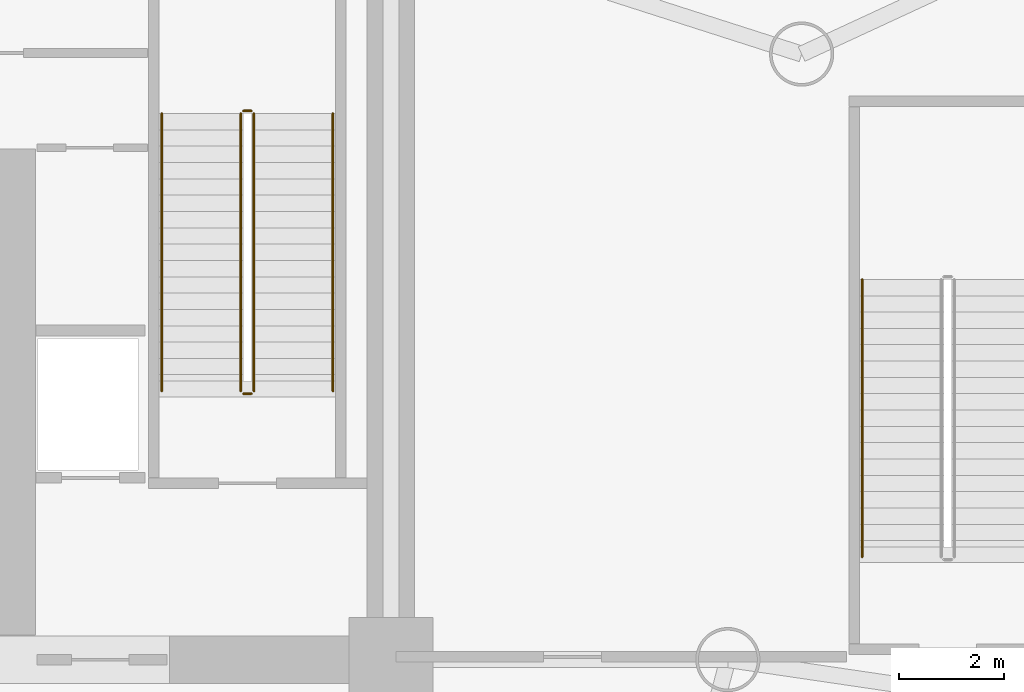
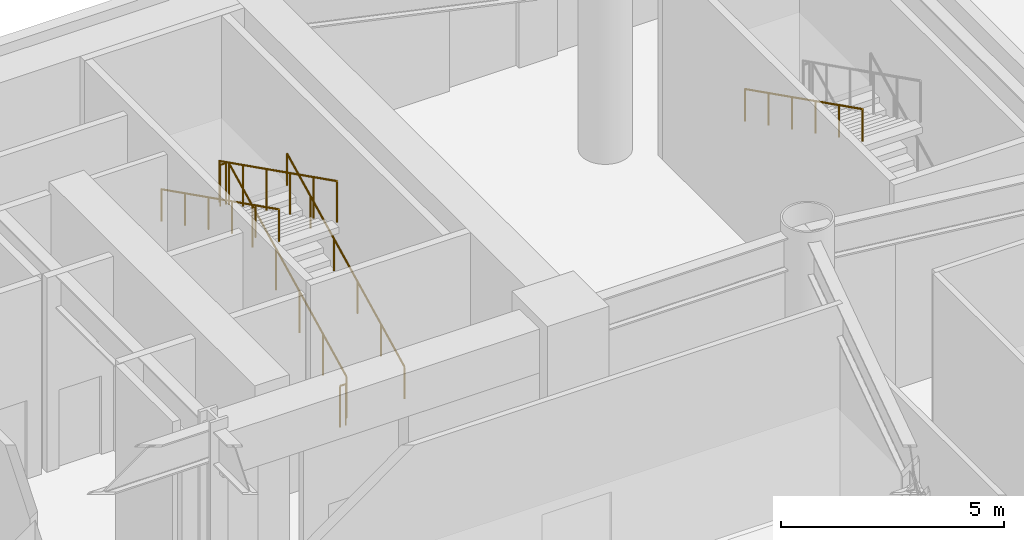
# One storey, part 17 of 20: 7 railings.
"""IFC4 building model written with IfcOpenShell, lengths in metres."""

from ifc_helpers import new_model, si_unit, direction, frame, origin, origin_2d, place, context, subcontext, project, spatial, circle, extrude, material, type_object, element, save


model = new_model("IFC4")

# Units and contexts
model_context = context("Model", 3, precision=1e-05, world=origin(), true_north=direction((0.0, 1.0)))
body_context = subcontext(model_context, "Body", "Model", "MODEL_VIEW")
ifc_project = project(units=[si_unit("LENGTHUNIT", "METRE"), si_unit("AREAUNIT", "SQUARE_METRE"), si_unit("VOLUMEUNIT", "CUBIC_METRE"), si_unit("PLANEANGLEUNIT", "RADIAN"), si_unit("MASSUNIT", "GRAM", prefix="KILO")], contexts=[model_context])

# Site, building, storey
site_placement = place(None, origin())
site = spatial("IfcSite", under=ifc_project, at=site_placement, CompositionType="ELEMENT")
building_placement = place(site_placement, origin())
building = spatial("IfcBuilding", under=site, at=building_placement, Name="Vaeldorn Concourse Tower", CompositionType="ELEMENT")
storey_placement = place(building_placement, origin())
storey = spatial("IfcBuildingStorey", under=building, at=storey_placement, Name="L00", CompositionType="ELEMENT", Elevation=0.0)

# Railings
ifc_material = material(Name="Anodised Bronze Aluminium", Category="aluminium")
railing_type_1 = type_object("IfcRailingType", Name="RL-STAIR-GUARD", PredefinedType="GUARDRAIL", material=ifc_material)
railing_1_placement = place(storey_placement, frame((51.39990234375, 41.60009765625, 0.155517578125)))
element("IfcRailing", 1, at=railing_1_placement, inside=storey, type_object=railing_type_1, Name="L00 ST-2 stair guard 1", PredefinedType="GUARDRAIL", context=body_context, shape_type="SweptSolid", body=[
    extrude(circle(Radius=0.02392578125, at=origin_2d()), frame((0.0, 0.0, 1.1259765625), z_axis=(0.0, 0.893780331391, 0.448504982379), x_axis=(-1.0, 0.0, 0.0)), (0.0, 0.0, 1.0), 5.896240234375),
    extrude(circle(Radius=0.02099609375, at=origin_2d()), origin(), (0.0, 0.0, 1.0), 1.101806640625),
    extrude(circle(Radius=0.02099609375, at=origin_2d()), frame((0.0, 1.053955078125, 0.52880859375)), (0.0, 0.0, 1.0), 1.101806640625),
    extrude(circle(Radius=0.02099609375, at=origin_2d()), frame((0.0, 2.10791015625, 1.057861328125)), (0.0, 0.0, 1.0), 1.101806640625),
    extrude(circle(Radius=0.02099609375, at=origin_2d()), frame((0.0, 3.162109375, 1.586669921875)), (0.0, 0.0, 1.0), 1.101806640625),
    extrude(circle(Radius=0.02099609375, at=origin_2d()), frame((0.0, 4.216064453125, 2.11572265625)), (0.0, 0.0, 1.0), 1.101806640625),
    extrude(circle(Radius=0.02099609375, at=origin_2d()), frame((0.0, 5.27001953125, 2.64453125)), (0.0, 0.0, 1.0), 1.101806640625),
])
railing_2_placement = place(storey_placement, frame((51.35009765625, 46.919921875, 2.800048828125)))
element("IfcRailing", 2, at=railing_2_placement, inside=storey, type_object=railing_type_1, Name="L00 ST-2 stair guard 2", PredefinedType="GUARDRAIL", context=body_context, shape_type="SweptSolid", body=[
    extrude(circle(Radius=0.02392578125, at=origin_2d()), frame((0.0, 0.0, 1.1259765625), z_axis=(-1.0, 0.0, 0.0), x_axis=(0.0, -1.0, 0.0)), (0.0, 0.0, 1.0), 0.150146484375),
    extrude(circle(Radius=0.02099609375, at=origin_2d()), origin(), (0.0, 0.0, 1.0), 1.101806640625),
    extrude(circle(Radius=0.02099609375, at=origin_2d()), frame((-0.150146484375, 0.0, 0.0)), (0.0, 0.0, 1.0), 1.101806640625),
])
railing_3_placement = place(storey_placement, frame((51.14990234375, 46.8701171875, 2.95556640625)))
element("IfcRailing", 3, at=railing_3_placement, inside=storey, type_object=railing_type_1, Name="L00 ST-2 stair guard 3", PredefinedType="GUARDRAIL", context=body_context, shape_type="SweptSolid", body=[
    extrude(circle(Radius=0.02392578125, at=origin_2d()), frame((0.0, 0.0, 1.1259765625), z_axis=(0.0, -0.893780331391, 0.448504982379), x_axis=(1.0, 0.0, 0.0)), (0.0, 0.0, 1.0), 5.896240234375),
    extrude(circle(Radius=0.02099609375, at=origin_2d()), origin(), (0.0, 0.0, 1.0), 1.101806640625),
    extrude(circle(Radius=0.02099609375, at=origin_2d()), frame((0.0, -1.053955078125, 0.52880859375)), (0.0, 0.0, 1.0), 1.101806640625),
    extrude(circle(Radius=0.02099609375, at=origin_2d()), frame((0.0, -2.10791015625, 1.057861328125)), (0.0, 0.0, 1.0), 1.101806640625),
    extrude(circle(Radius=0.02099609375, at=origin_2d()), frame((0.0, -3.162109375, 1.586669921875)), (0.0, 0.0, 1.0), 1.101806640625),
    extrude(circle(Radius=0.02099609375, at=origin_2d()), frame((0.0, -4.216064453125, 2.11572265625)), (0.0, 0.0, 1.0), 1.101806640625),
    extrude(circle(Radius=0.02099609375, at=origin_2d()), frame((0.0, -5.27001953125, 2.64453125)), (0.0, 0.0, 1.0), 1.101806640625),
])
railing_4_placement = place(storey_placement, frame((51.35009765625, 41.550048828125, 0.0)))
element("IfcRailing", 4, at=railing_4_placement, inside=storey, type_object=railing_type_1, Name="L00 ST-2 stair guard 4", PredefinedType="GUARDRAIL", context=body_context, shape_type="SweptSolid", body=[
    extrude(circle(Radius=0.02392578125, at=origin_2d()), frame((0.0, 0.0, 1.1259765625), z_axis=(-1.0, 0.0, 0.0), x_axis=(0.0, -1.0, 0.0)), (0.0, 0.0, 1.0), 0.150146484375),
    extrude(circle(Radius=0.02099609375, at=origin_2d()), origin(), (0.0, 0.0, 1.0), 1.101806640625),
    extrude(circle(Radius=0.02099609375, at=origin_2d()), frame((-0.150146484375, 0.0, 0.0)), (0.0, 0.0, 1.0), 1.101806640625),
])
railing_type_2 = type_object("IfcRailingType", Name="RL-STAIR-HANDRAIL", PredefinedType="HANDRAIL", material=ifc_material)
railing_5_placement = place(storey_placement, frame((52.89990234375, 41.60009765625, 0.155517578125)))
element("IfcRailing", 5, at=railing_5_placement, inside=storey, type_object=railing_type_2, Name="L00 ST-2 stair handrail 1", PredefinedType="HANDRAIL", context=body_context, shape_type="SweptSolid", body=[
    extrude(circle(Radius=0.02392578125, at=origin_2d()), frame((0.0, 0.0, 0.8759765625), z_axis=(0.0, 0.893780331391, 0.448504982379), x_axis=(-1.0, 0.0, 0.0)), (0.0, 0.0, 1.0), 5.896240234375),
    extrude(circle(Radius=0.02099609375, at=origin_2d()), origin(), (0.0, 0.0, 1.0), 0.851806640625),
    extrude(circle(Radius=0.02099609375, at=origin_2d()), frame((0.0, 1.053955078125, 0.52880859375)), (0.0, 0.0, 1.0), 0.851806640625),
    extrude(circle(Radius=0.02099609375, at=origin_2d()), frame((0.0, 2.10791015625, 1.057861328125)), (0.0, 0.0, 1.0), 0.851806640625),
    extrude(circle(Radius=0.02099609375, at=origin_2d()), frame((0.0, 3.162109375, 1.586669921875)), (0.0, 0.0, 1.0), 0.851806640625),
    extrude(circle(Radius=0.02099609375, at=origin_2d()), frame((0.0, 4.216064453125, 2.11572265625)), (0.0, 0.0, 1.0), 0.851806640625),
    extrude(circle(Radius=0.02099609375, at=origin_2d()), frame((0.0, 5.27001953125, 2.64453125)), (0.0, 0.0, 1.0), 0.851806640625),
])
for number, where, name in (
    (6, (49.64990234375, 46.8701171875, 2.95556640625), "L00 ST-2 stair handrail 2"),
    (7, (62.949951171875, 43.719970703125, 2.95556640625), "L00 ST-4 stair handrail 2"),
):
    element("IfcRailing", number, at=place(storey_placement, frame(where)), inside=storey, type_object=railing_type_2, Name=name, PredefinedType="HANDRAIL", context=body_context, shape_type="SweptSolid", body=[
        extrude(circle(Radius=0.02392578125, at=origin_2d()), frame((0.0, 0.0, 0.8759765625), z_axis=(0.0, -0.893780331391, 0.448504982379), x_axis=(1.0, 0.0, 0.0)), (0.0, 0.0, 1.0), 5.896240234375),
        extrude(circle(Radius=0.02099609375, at=origin_2d()), origin(), (0.0, 0.0, 1.0), 0.851806640625),
        extrude(circle(Radius=0.02099609375, at=origin_2d()), frame((0.0, -1.053955078125, 0.52880859375)), (0.0, 0.0, 1.0), 0.851806640625),
        extrude(circle(Radius=0.02099609375, at=origin_2d()), frame((0.0, -2.10791015625, 1.057861328125)), (0.0, 0.0, 1.0), 0.851806640625),
        extrude(circle(Radius=0.02099609375, at=origin_2d()), frame((0.0, -3.162109375, 1.586669921875)), (0.0, 0.0, 1.0), 0.851806640625),
        extrude(circle(Radius=0.02099609375, at=origin_2d()), frame((0.0, -4.216064453125, 2.11572265625)), (0.0, 0.0, 1.0), 0.851806640625),
        extrude(circle(Radius=0.02099609375, at=origin_2d()), frame((0.0, -5.27001953125, 2.64453125)), (0.0, 0.0, 1.0), 0.851806640625),
    ])

save(model, "model.ifc")
